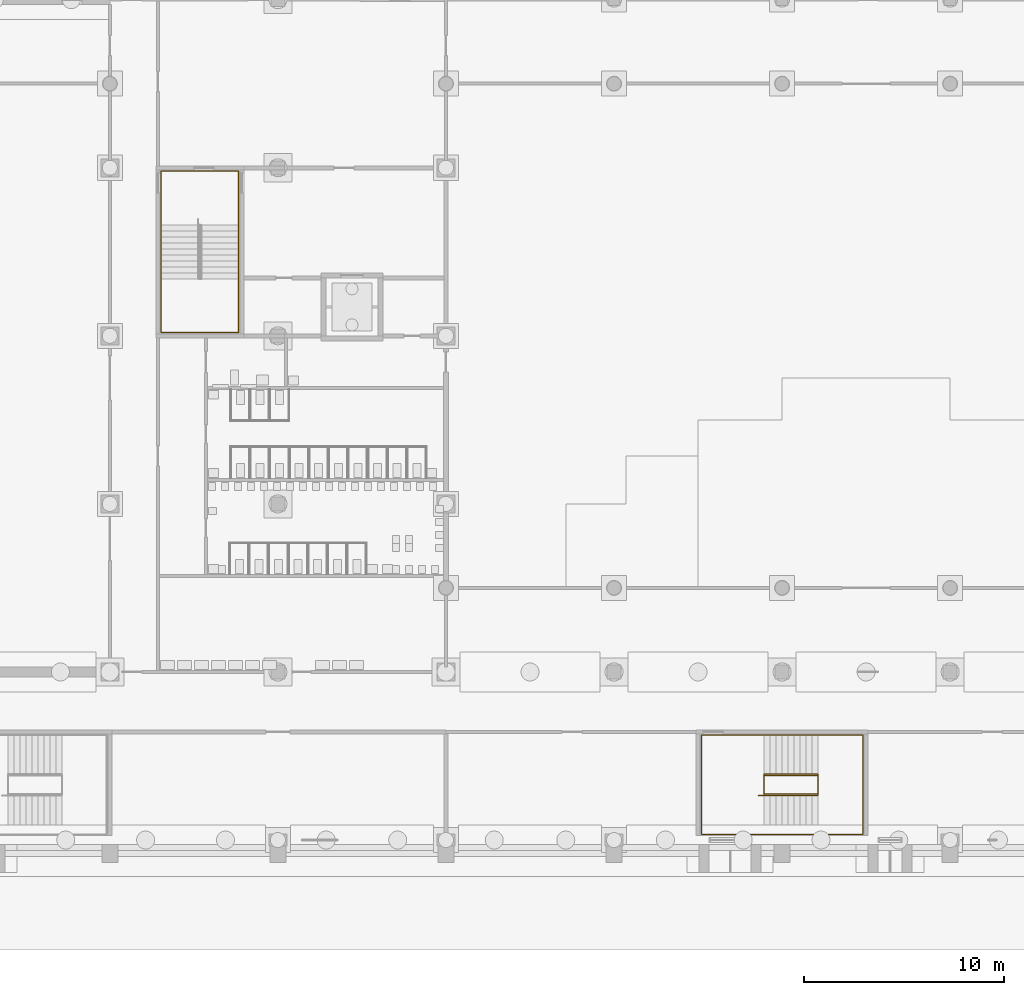
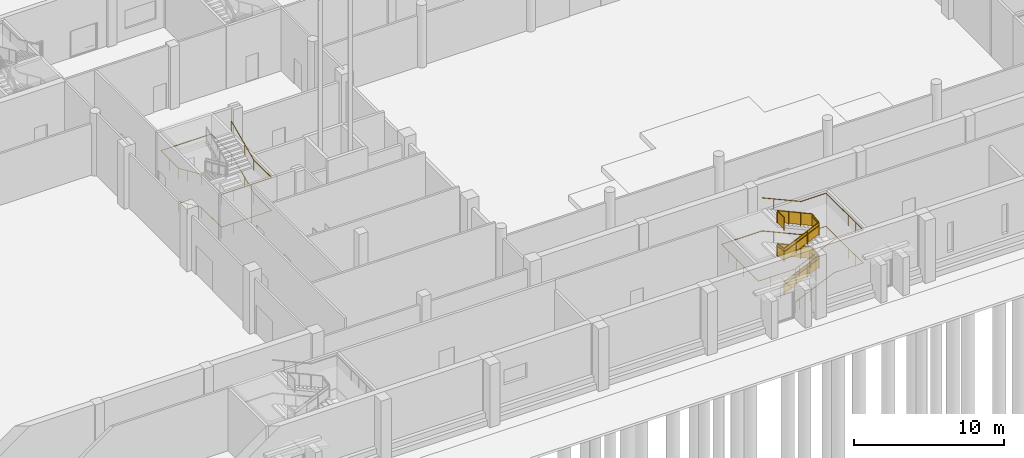
# One storey, part 60 of 74: 4 railings.
"""IFC4 building model written with IfcOpenShell, lengths in metres."""

import ifcopenshell
import ifcopenshell.guid

model = None  # the IFC model being written
_history = None  # IfcOwnerHistory: only IFC2X3 demands one
_inside = {}  # id of a spatial element -> (the spatial element, [elements in it])
_under = {}  # id of a project, library or spatial element -> (it, [spatial elements below it])
_declared = {}  # id of a project -> (the project, [libraries it declares])
_typed = {}  # id of a type object -> (the type object, [elements of that type])
_made_of = {}  # id of a material, layer set ... -> (it, [elements and type objects made of it])


def new_model(schema):
    """Start an empty IFC model of exactly this schema.

    Asked for "IFC4X3", IfcOpenShell would pick the latest addendum, in which some entities
    have other attributes; the version numbers below select the first issue.
    IFC2X3 requires an IfcOwnerHistory on every rooted entity: one is made here for all.
    """
    global model, _history
    if schema == "IFC4X3":
        model = ifcopenshell.file(schema_version=(4, 3, 0, 0))
    else:
        model = ifcopenshell.file(schema=schema)
    _inside.clear()
    _under.clear()
    _declared.clear()
    _typed.clear()
    _made_of.clear()
    _history = None
    if model.schema == "IFC2X3":
        org = make("IfcOrganization", Name="unknown")
        user = make(
            "IfcPersonAndOrganization",
            ThePerson=make("IfcPerson", FamilyName="unknown"),
            TheOrganization=org,
        )
        app = make(
            "IfcApplication",
            ApplicationDeveloper=org,
            Version="unknown",
            ApplicationFullName="unknown",
            ApplicationIdentifier="unknown",
        )
        _history = make(
            "IfcOwnerHistory",
            OwningUser=user,
            OwningApplication=app,
            ChangeAction="ADDED",
            CreationDate=0,
        )
    return model


def make(cls, **values):
    """One entity of the class cls with the attributes given. An attribute that is None is left unset."""
    return model.create_entity(
        cls, **{name: value for name, value in values.items() if value is not None}
    )


def rooted(cls, **values):
    """An entity with a GlobalId (a new one), such as an element, a storey or a relation."""
    return make(cls, GlobalId=ifcopenshell.guid.new(), OwnerHistory=_history, **values)


def si_unit(unit_type, name, prefix=None):
    """IfcSIUnit, for example si_unit("LENGTHUNIT", "METRE", prefix="MILLI")."""
    return make("IfcSIUnit", UnitType=unit_type, Prefix=prefix, Name=name)


def assignment(units):
    """IfcUnitAssignment: the units of a project."""
    return None if units is None else make("IfcUnitAssignment", Units=units)


def point(xyz):
    """IfcCartesianPoint."""
    return None if xyz is None else make("IfcCartesianPoint", Coordinates=xyz)


def direction(xyz):
    """IfcDirection."""
    return None if xyz is None else make("IfcDirection", DirectionRatios=xyz)


def frame(location, z_axis=None, x_axis=None):
    """IfcAxis2Placement3D, a coordinate frame: its origin and axes. An axis left out is left unset."""
    return make(
        "IfcAxis2Placement3D",
        Location=point(location),
        Axis=direction(z_axis),
        RefDirection=direction(x_axis),
    )


def frame_2d(location, x_axis=None):
    """IfcAxis2Placement2D, a coordinate frame in the plane: its origin and x axis."""
    return make(
        "IfcAxis2Placement2D", Location=point(location), RefDirection=direction(x_axis)
    )


def origin():
    """The frame at (0, 0, 0) with its axes left unset."""
    return frame((0.0, 0.0, 0.0))


def origin_2d():
    """The frame at (0, 0) in the plane with its x axis left unset."""
    return frame_2d((0.0, 0.0))


def place(relative_to, where):
    """IfcLocalPlacement: puts the frame where relative to a parent placement (None: the world)."""
    return make(
        "IfcLocalPlacement", PlacementRelTo=relative_to, RelativePlacement=where
    )


def context(
    kind, dimensions, precision=None, world=None, true_north=None, identifier=None
):
    """IfcGeometricRepresentationContext, for example the 3D "Model" context."""
    return make(
        "IfcGeometricRepresentationContext",
        ContextIdentifier=identifier,
        ContextType=kind,
        CoordinateSpaceDimension=dimensions,
        Precision=precision,
        WorldCoordinateSystem=world,
        TrueNorth=true_north,
    )


def subcontext(parent, identifier, kind, view, scale=None):
    """IfcGeometricRepresentationSubContext, for example "Body" below "Model"."""
    return make(
        "IfcGeometricRepresentationSubContext",
        ContextIdentifier=identifier,
        ContextType=kind,
        ParentContext=parent,
        TargetScale=scale,
        TargetView=view,
    )


def project(units=None, contexts=None):
    """IfcProject with its units and contexts."""
    return rooted(
        "IfcProject",
        Name="project",
        RepresentationContexts=contexts,
        UnitsInContext=assignment(units),
    )


def spatial(cls, under=None, at=None, **own):
    """A site, building, storey or space (cls), placed at a placement, below another one or the project."""
    s = rooted(cls, ObjectPlacement=at, **own)
    if under is not None:
        _under.setdefault(under.id(), (under, []))[1].append(s)
    return s


def polyline(points):
    """IfcPolyline through the points."""
    return make("IfcPolyline", Points=[point(p) for p in points])


def profile(cls, at=None, kind="AREA", **sizes):
    """A parametric profile (cls). Its sizes go by their IFC names, for example OverallWidth=200.0."""
    return make(cls, ProfileType=kind, Position=at, **sizes)


def circle(**sizes):
    """IfcCircleProfileDef."""
    return profile("IfcCircleProfileDef", **sizes)


def outline(outer, holes=None, kind="AREA"):
    """IfcArbitraryClosedProfileDef: a profile drawn as a closed curve; with holes, ...WithVoids."""
    if holes is None:
        return make("IfcArbitraryClosedProfileDef", ProfileType=kind, OuterCurve=outer)
    return make(
        "IfcArbitraryProfileDefWithVoids",
        ProfileType=kind,
        OuterCurve=outer,
        InnerCurves=holes,
    )


def extrude(swept, where, along, depth):
    """IfcExtrudedAreaSolid: the profile swept, set in the frame where, extruded along a direction by depth."""
    return make(
        "IfcExtrudedAreaSolid",
        SweptArea=swept,
        Position=where,
        ExtrudedDirection=direction(along),
        Depth=depth,
    )


def shape(context_of_items, identifier, shape_type, items):
    """IfcShapeRepresentation: the items that make up one representation, for example the "Body"."""
    return make(
        "IfcShapeRepresentation",
        ContextOfItems=context_of_items,
        RepresentationIdentifier=identifier,
        RepresentationType=shape_type,
        Items=items,
    )


def material(Name=None, Category=None):
    """IfcMaterial."""
    return make("IfcMaterial", Name=Name, Category=Category)


def made_of(thing, what):
    """Note that an element or type object is made of a material, layer set ...; save() writes the relation."""
    if what is not None:
        _made_of.setdefault(what.id(), (what, []))[1].append(thing)
    return thing


def type_object(cls, material=None, **own):
    """A type object (cls), such as IfcWallType, which elements share."""
    return made_of(rooted(cls, **own), material)


def element(
    cls,
    number,
    at=None,
    inside=None,
    cuts=None,
    type_object=None,
    material=None,
    context=None,
    identifier="Body",
    shape_type=None,
    held_by="IfcProductDefinitionShape",
    body=None,
    shapes=None,
    **own,
):
    """One element of the class cls, such as IfcWall. Its Tag is "e" and its number.

    at: its placement. inside: the storey or other place that contains it. cuts: it is an
    opening in that element (IfcRelVoidsElement). A single representation is given by context,
    identifier, shape_type and body (its items); several are given by shapes. held_by: the class
    of the entity that holds the representations. save() writes the other relations.
    """
    e = rooted(cls, Tag="e%d" % number, ObjectPlacement=at, **own)
    if body is not None:
        shapes = [shape(context, identifier, shape_type, body)]
    if shapes is not None:
        e.Representation = make(held_by, Representations=shapes)
    if inside is not None:
        _inside.setdefault(inside.id(), (inside, []))[1].append(e)
    if cuts is not None:
        rooted(
            "IfcRelVoidsElement", RelatingBuildingElement=cuts, RelatedOpeningElement=e
        )
    if type_object is not None:
        _typed.setdefault(type_object.id(), (type_object, []))[1].append(e)
    return made_of(e, material)


def aggregate(whole, parts):
    """IfcRelAggregates: a whole, such as a stair, and the parts it consists of."""
    return rooted("IfcRelAggregates", RelatingObject=whole, RelatedObjects=parts)


def save(model, path):
    """Write the relations noted so far, then the file.

    IfcRelAggregates (storeys below a building ...), IfcRelContainedInSpatialStructure (elements
    in a storey), IfcRelDefinesByType, IfcRelAssociatesMaterial and IfcRelDeclares: one each for
    every whole, place, type object, material and project.
    """
    for whole, parts in _under.values():
        aggregate(whole, parts)
    for where, things in _inside.values():
        rooted(
            "IfcRelContainedInSpatialStructure",
            RelatedElements=things,
            RelatingStructure=where,
        )
    for kind, things in _typed.values():
        rooted("IfcRelDefinesByType", RelatedObjects=things, RelatingType=kind)
    for what, things in _made_of.values():
        rooted("IfcRelAssociatesMaterial", RelatedObjects=things, RelatingMaterial=what)
    for by, libraries in _declared.values():
        rooted("IfcRelDeclares", RelatingContext=by, RelatedDefinitions=libraries)
    model.write(path)


model = new_model("IFC4")

# Units and contexts
model_context = context("Model", 3, precision=1e-05, world=origin(), true_north=direction((0.0, 1.0)))
body_context = subcontext(model_context, "Body", "Model", "MODEL_VIEW")
ifc_project = project(units=[si_unit("LENGTHUNIT", "METRE"), si_unit("AREAUNIT", "SQUARE_METRE"), si_unit("VOLUMEUNIT", "CUBIC_METRE"), si_unit("PLANEANGLEUNIT", "RADIAN"), si_unit("MASSUNIT", "GRAM", prefix="KILO")], contexts=[model_context])

# Site, building, storey
site_placement = place(None, origin())
site = spatial("IfcSite", under=ifc_project, at=site_placement, CompositionType="ELEMENT")
building_placement = place(site_placement, origin())
building = spatial("IfcBuilding", under=site, at=building_placement, Name="Rulbaag Community and Learning Centre", CompositionType="ELEMENT")
storey_placement = place(building_placement, origin())
storey = spatial("IfcBuildingStorey", under=building, at=storey_placement, Name="L00", CompositionType="ELEMENT", Elevation=0.0)

# Railings
ifc_material_1 = material(Name="Galvanised mild steel", Category="steel")
railing_type_1 = type_object("IfcRailingType", Name="GR-1100 GUARD 1100", PredefinedType="GUARDRAIL", material=ifc_material_1)
railing_1_placement = place(storey_placement, frame((57.89990234375, 2.304931640625, 0.135009765625)))
element("IfcRailing", 1, at=railing_1_placement, inside=storey, type_object=railing_type_1, Name="Guard SH8 L00 G", PredefinedType="GUARDRAIL", context=body_context, shape_type="SweptSolid", body=[
    extrude(circle(Radius=0.02490234375, at=origin_2d()), frame((0.0, 0.0, 1.0751953125), z_axis=(0.911921505175, 0.0, 0.410364677329), x_axis=(0.0, 1.0, 0.0)), (0.0, 0.0, 1.0), 2.9609375),
    extrude(circle(Radius=0.02490234375, at=origin_2d()), frame((2.7001953125, 0.0, 2.2900390625), z_axis=(0.0, 0.989289738746, 0.145965108198), x_axis=(-1.0, 0.0, 0.0)), (0.0, 0.0, 1.0), 0.925048828125),
    extrude(circle(Radius=0.02490234375, at=origin_2d()), frame((2.7001953125, 0.9150390625, 2.42529296875), z_axis=(-0.91195235894, 0.0, 0.410296106518), x_axis=(0.0, -1.0, 0.0)), (0.0, 0.0, 1.0), 2.9609375),
    extrude(circle(Radius=0.02490234375, at=origin_2d()), frame((0.0, 0.9150390625, 3.64013671875), z_axis=(0.0, -0.989289738746, 0.145965108198), x_axis=(1.0, 0.0, 0.0)), (0.0, 0.0, 1.0), 0.925048828125),
    extrude(circle(Radius=0.02490234375, at=origin_2d()), frame((0.0, 0.0, 3.77490234375), z_axis=(0.911921505175, 0.0, 0.410364677329), x_axis=(0.0, 1.0, 0.0)), (0.0, 0.0, 1.0), 2.9609375),
    extrude(circle(Radius=0.02490234375, at=origin_2d()), frame((2.7001953125, 0.0, 4.990234375), z_axis=(0.0, 0.989289738746, 0.145965108198), x_axis=(-1.0, 0.0, 0.0)), (0.0, 0.0, 1.0), 0.925048828125),
    extrude(circle(Radius=0.02490234375, at=origin_2d()), frame((2.7001953125, 0.9150390625, 5.125), z_axis=(-0.91195235894, 0.0, 0.410296106518), x_axis=(0.0, -1.0, 0.0)), (0.0, 0.0, 1.0), 2.9609375),
    extrude(circle(Radius=0.02490234375, at=origin_2d()), frame((0.0, 0.9150390625, 6.33984375), z_axis=(0.0, -1.0, 0.0), x_axis=(1.0, 0.0, 0.0)), (0.0, 0.0, 1.0), 0.9150390625),
    extrude(circle(Radius=0.02001953125, at=origin_2d()), origin(), (0.0, 0.0, 1.0), 1.050048828125),
    extrude(circle(Radius=0.02001953125, at=origin_2d()), frame((0.900146484375, 0.0, 0.405029296875)), (0.0, 0.0, 1.0), 1.050048828125),
    extrude(circle(Radius=0.02001953125, at=origin_2d()), frame((1.800048828125, 0.0, 0.81005859375)), (0.0, 0.0, 1.0), 1.050048828125),
    extrude(circle(Radius=0.02001953125, at=origin_2d()), frame((2.7001953125, 0.0, 1.215087890625)), (0.0, 0.0, 1.0), 1.050048828125),
    extrude(circle(Radius=0.02001953125, at=origin_2d()), frame((2.7001953125, 0.9150390625, 1.35009765625)), (0.0, 0.0, 1.0), 1.050048828125),
    extrude(circle(Radius=0.02001953125, at=origin_2d()), frame((1.800048828125, 0.9150390625, 1.755126953125)), (0.0, 0.0, 1.0), 1.050048828125),
    extrude(circle(Radius=0.02001953125, at=origin_2d()), frame((0.900146484375, 0.9150390625, 2.159912109375)), (0.0, 0.0, 1.0), 1.050048828125),
    extrude(circle(Radius=0.02001953125, at=origin_2d()), frame((0.0, 0.9150390625, 2.56494140625)), (0.0, 0.0, 1.0), 1.050048828125),
    extrude(circle(Radius=0.02001953125, at=origin_2d()), frame((0.0, 0.0, 2.699951171875)), (0.0, 0.0, 1.0), 1.050048828125),
    extrude(circle(Radius=0.02001953125, at=origin_2d()), frame((0.900146484375, 0.0, 3.10498046875)), (0.0, 0.0, 1.0), 1.050048828125),
    extrude(circle(Radius=0.02001953125, at=origin_2d()), frame((1.800048828125, 0.0, 3.510009765625)), (0.0, 0.0, 1.0), 1.050048828125),
    extrude(circle(Radius=0.02001953125, at=origin_2d()), frame((2.7001953125, 0.0, 3.9150390625)), (0.0, 0.0, 1.0), 1.050048828125),
    extrude(circle(Radius=0.02001953125, at=origin_2d()), frame((2.7001953125, 0.9150390625, 4.050048828125)), (0.0, 0.0, 1.0), 1.050048828125),
    extrude(circle(Radius=0.02001953125, at=origin_2d()), frame((1.800048828125, 0.9150390625, 4.455078125)), (0.0, 0.0, 1.0), 1.050048828125),
    extrude(circle(Radius=0.02001953125, at=origin_2d()), frame((0.900146484375, 0.9150390625, 4.85986328125)), (0.0, 0.0, 1.0), 1.050048828125),
    extrude(circle(Radius=0.02001953125, at=origin_2d()), frame((0.0, 0.9150390625, 5.264892578125)), (0.0, 0.0, 1.0), 1.050048828125),
    extrude(circle(Radius=0.02001953125, at=origin_2d()), frame((0.0, 0.0, 5.264892578125)), (0.0, 0.0, 1.0), 1.050048828125),
    extrude(outline(polyline([(0.0, 0.0), (2.7001953125, 1.215087890625), (2.7001953125, 2.1650390625), (0.0, 0.949951171875), (0.0, 0.0)])), frame((0.0, 0.0048828125, 0.10009765625), z_axis=(0.0, -1.0, 0.0), x_axis=(1.0, 0.0, 0.0)), (0.0, 0.0, 1.0), 0.010009765625),
    extrude(outline(polyline([(0.0, 0.0), (0.9150390625, 0.135009765625), (0.9150390625, 1.0849609375), (0.0, 0.949951171875), (0.0, 0.0)])), frame((2.6953125, 0.0, 1.315185546875), z_axis=(1.0, 0.0, 0.0), x_axis=(0.0, 1.0, 0.0)), (0.0, 0.0, 1.0), 0.010009765625),
    extrude(outline(polyline([(0.0, 0.0), (2.7001953125, 1.21484375), (2.7001953125, 2.164794921875), (0.0, 0.949951171875), (0.0, 0.0)])), frame((2.7001953125, 0.91015625, 1.4501953125), z_axis=(0.0, 1.0, 0.0), x_axis=(-1.0, 0.0, 0.0)), (0.0, 0.0, 1.0), 0.010009765625),
    extrude(outline(polyline([(0.0, 0.0), (0.9150390625, 0.135009765625), (0.9150390625, 1.0849609375), (0.0, 0.949951171875), (0.0, 0.0)])), frame((0.0048828125, 0.9150390625, 2.6650390625), z_axis=(-1.0, 0.0, 0.0), x_axis=(0.0, -1.0, 0.0)), (0.0, 0.0, 1.0), 0.010009765625),
    extrude(outline(polyline([(0.0, 0.0), (2.7001953125, 1.215087890625), (2.7001953125, 2.1650390625), (0.0, 0.949951171875), (0.0, 0.0)])), frame((0.0, 0.0048828125, 2.800048828125), z_axis=(0.0, -1.0, 0.0), x_axis=(1.0, 0.0, 0.0)), (0.0, 0.0, 1.0), 0.010009765625),
    extrude(outline(polyline([(0.0, 0.0), (0.9150390625, 0.135009765625), (0.9150390625, 1.0849609375), (0.0, 0.949951171875), (0.0, 0.0)])), frame((2.6953125, 0.0, 4.01513671875), z_axis=(1.0, 0.0, 0.0), x_axis=(0.0, 1.0, 0.0)), (0.0, 0.0, 1.0), 0.010009765625),
    extrude(outline(polyline([(0.0, 0.0), (2.7001953125, 1.21484375), (2.7001953125, 2.164794921875), (0.0, 0.949951171875), (0.0, 0.0)])), frame((2.7001953125, 0.91015625, 4.150146484375), z_axis=(0.0, 1.0, 0.0), x_axis=(-1.0, 0.0, 0.0)), (0.0, 0.0, 1.0), 0.010009765625),
    extrude(outline(polyline([(0.0, 0.0), (0.9150390625, 0.0), (0.9150390625, 0.949951171875), (0.0, 0.949951171875), (0.0, 0.0)])), frame((0.0048828125, 0.9150390625, 5.364990234375), z_axis=(-1.0, 0.0, 0.0), x_axis=(0.0, -1.0, 0.0)), (0.0, 0.0, 1.0), 0.010009765625),
])
ifc_material_2 = material(Name="Stainless steel grade 316", Category="steel")
railing_type_2 = type_object("IfcRailingType", Name="HR-900 HANDRAIL 900", PredefinedType="HANDRAIL", material=ifc_material_2)
railing_2_placement = place(storey_placement, frame((27.760009765625, 31.050048828125, 0.0)))
element("IfcRailing", 2, at=railing_2_placement, inside=storey, type_object=railing_type_2, Name="Handrail SH1 L00 O", PredefinedType="HANDRAIL", context=body_context, shape_type="SweptSolid", body=[
    extrude(circle(Radius=0.024169921875, at=origin_2d()), frame((0.0, 0.0, 0.875732421875), z_axis=(0.0, -0.911935388494, 0.410333824115), x_axis=(1.0, 0.0, 0.0)), (0.0, 0.0, 1.0), 0.3291015625),
    extrude(circle(Radius=0.024169921875, at=origin_2d()), frame((0.0, -0.300048828125, 1.0107421875), z_axis=(0.0, -0.911907618724, 0.410395534713), x_axis=(1.0, 0.0, 0.0)), (0.0, 0.0, 1.0), 2.960693359375),
    extrude(circle(Radius=0.024169921875, at=origin_2d()), frame((0.0, -3.0, 2.225830078125), z_axis=(0.0, -1.0, 0.0), x_axis=(1.0, 0.0, 0.0)), (0.0, 0.0, 1.0), 2.68994140625),
    extrude(circle(Radius=0.024169921875, at=origin_2d()), frame((0.0, -5.68994140625, 2.225830078125), z_axis=(1.0, 0.0, 0.0), x_axis=(0.0, 1.0, 0.0)), (0.0, 0.0, 1.0), 3.8798828125),
    extrude(circle(Radius=0.024169921875, at=origin_2d()), frame((3.8798828125, -5.68994140625, 2.225830078125), z_axis=(0.0, 1.0, 0.0), x_axis=(-1.0, 0.0, 0.0)), (0.0, 0.0, 1.0), 2.389892578125),
    extrude(circle(Radius=0.024169921875, at=origin_2d()), frame((3.8798828125, -3.300048828125, 2.225830078125), z_axis=(0.0, 0.911935388494, 0.410333824115), x_axis=(-1.0, 0.0, 0.0)), (0.0, 0.0, 1.0), 0.3291015625),
    extrude(circle(Radius=0.024169921875, at=origin_2d()), frame((3.8798828125, -3.0, 2.36083984375), z_axis=(0.0, 0.91193847666, 0.410326960834), x_axis=(-1.0, 0.0, 0.0)), (0.0, 0.0, 1.0), 2.960693359375),
    extrude(circle(Radius=0.024169921875, at=origin_2d()), frame((3.8798828125, -0.300048828125, 3.57568359375), z_axis=(0.0, 1.0, 0.0), x_axis=(-1.0, 0.0, 0.0)), (0.0, 0.0, 1.0), 2.68994140625),
    extrude(circle(Radius=0.024169921875, at=origin_2d()), frame((3.8798828125, 2.389892578125, 3.57568359375), z_axis=(-1.0, 0.0, 0.0), x_axis=(0.0, -1.0, 0.0)), (0.0, 0.0, 1.0), 3.8798828125),
    extrude(circle(Radius=0.024169921875, at=origin_2d()), frame((0.0, 2.389892578125, 3.57568359375), z_axis=(0.0, -1.0, 0.0), x_axis=(1.0, 0.0, 0.0)), (0.0, 0.0, 1.0), 2.389892578125),
    extrude(circle(Radius=0.024169921875, at=origin_2d()), frame((0.0, 0.0, 3.57568359375), z_axis=(0.0, -0.911935388494, 0.410333824115), x_axis=(1.0, 0.0, 0.0)), (0.0, 0.0, 1.0), 0.3291015625),
    extrude(circle(Radius=0.024169921875, at=origin_2d()), frame((0.0, -0.300048828125, 3.710693359375), z_axis=(0.0, -0.911907618724, 0.410395534713), x_axis=(1.0, 0.0, 0.0)), (0.0, 0.0, 1.0), 2.960693359375),
    extrude(circle(Radius=0.024169921875, at=origin_2d()), frame((0.0, -3.0, 4.92578125), z_axis=(0.0, -1.0, 0.0), x_axis=(1.0, 0.0, 0.0)), (0.0, 0.0, 1.0), 2.68994140625),
    extrude(circle(Radius=0.024169921875, at=origin_2d()), frame((0.0, -5.68994140625, 4.92578125), z_axis=(1.0, 0.0, 0.0), x_axis=(0.0, 1.0, 0.0)), (0.0, 0.0, 1.0), 3.8798828125),
    extrude(circle(Radius=0.024169921875, at=origin_2d()), frame((3.8798828125, -5.68994140625, 4.92578125), z_axis=(0.0, 1.0, 0.0), x_axis=(-1.0, 0.0, 0.0)), (0.0, 0.0, 1.0), 2.389892578125),
    extrude(circle(Radius=0.024169921875, at=origin_2d()), frame((3.8798828125, -3.300048828125, 4.92578125), z_axis=(0.0, 0.911935388494, 0.410333824115), x_axis=(-1.0, 0.0, 0.0)), (0.0, 0.0, 1.0), 0.3291015625),
    extrude(circle(Radius=0.024169921875, at=origin_2d()), frame((3.8798828125, -3.0, 5.060791015625), z_axis=(0.0, 0.91193847666, 0.410326960834), x_axis=(-1.0, 0.0, 0.0)), (0.0, 0.0, 1.0), 2.960693359375),
    extrude(circle(Radius=0.008056640625, at=origin_2d()), origin(), (0.0, 0.0, 1.0), 0.8515625),
    extrude(circle(Radius=0.008056640625, at=origin_2d()), frame((0.0, -0.300048828125, 0.135009765625)), (0.0, 0.0, 1.0), 0.8515625),
    extrude(circle(Radius=0.008056640625, at=origin_2d()), frame((0.0, -1.199951171875, 0.5400390625)), (0.0, 0.0, 1.0), 0.8515625),
    extrude(circle(Radius=0.008056640625, at=origin_2d()), frame((0.0, -2.10009765625, 0.945068359375)), (0.0, 0.0, 1.0), 0.8515625),
    extrude(circle(Radius=0.008056640625, at=origin_2d()), frame((0.0, -3.0, 1.35009765625)), (0.0, 0.0, 1.0), 0.8515625),
    extrude(circle(Radius=0.008056640625, at=origin_2d()), frame((0.0, -3.896728515625, 1.35009765625)), (0.0, 0.0, 1.0), 0.8515625),
    extrude(circle(Radius=0.008056640625, at=origin_2d()), frame((0.0, -4.793212890625, 1.35009765625)), (0.0, 0.0, 1.0), 0.8515625),
    extrude(circle(Radius=0.008056640625, at=origin_2d()), frame((0.0, -5.68994140625, 1.35009765625)), (0.0, 0.0, 1.0), 0.8515625),
    extrude(circle(Radius=0.008056640625, at=origin_2d()), frame((0.969970703125, -5.68994140625, 1.35009765625)), (0.0, 0.0, 1.0), 0.8515625),
    extrude(circle(Radius=0.008056640625, at=origin_2d()), frame((1.93994140625, -5.68994140625, 1.35009765625)), (0.0, 0.0, 1.0), 0.8515625),
    extrude(circle(Radius=0.008056640625, at=origin_2d()), frame((2.909912109375, -5.68994140625, 1.35009765625)), (0.0, 0.0, 1.0), 0.8515625),
    extrude(circle(Radius=0.008056640625, at=origin_2d()), frame((3.8798828125, -5.68994140625, 1.35009765625)), (0.0, 0.0, 1.0), 0.8515625),
    extrude(circle(Radius=0.008056640625, at=origin_2d()), frame((3.8798828125, -4.4951171875, 1.35009765625)), (0.0, 0.0, 1.0), 0.8515625),
    extrude(circle(Radius=0.008056640625, at=origin_2d()), frame((3.8798828125, -3.300048828125, 1.35009765625)), (0.0, 0.0, 1.0), 0.8515625),
    extrude(circle(Radius=0.008056640625, at=origin_2d()), frame((3.8798828125, -3.0, 1.485107421875)), (0.0, 0.0, 1.0), 0.8515625),
    extrude(circle(Radius=0.008056640625, at=origin_2d()), frame((3.8798828125, -2.10009765625, 1.89013671875)), (0.0, 0.0, 1.0), 0.8515625),
    extrude(circle(Radius=0.008056640625, at=origin_2d()), frame((3.8798828125, -1.199951171875, 2.294921875)), (0.0, 0.0, 1.0), 0.8515625),
    extrude(circle(Radius=0.008056640625, at=origin_2d()), frame((3.8798828125, -0.300048828125, 2.699951171875)), (0.0, 0.0, 1.0), 0.8515625),
    extrude(circle(Radius=0.008056640625, at=origin_2d()), frame((3.8798828125, 0.5966796875, 2.699951171875)), (0.0, 0.0, 1.0), 0.8515625),
    extrude(circle(Radius=0.008056640625, at=origin_2d()), frame((3.8798828125, 1.4931640625, 2.699951171875)), (0.0, 0.0, 1.0), 0.8515625),
    extrude(circle(Radius=0.008056640625, at=origin_2d()), frame((3.8798828125, 2.389892578125, 2.699951171875)), (0.0, 0.0, 1.0), 0.8515625),
    extrude(circle(Radius=0.008056640625, at=origin_2d()), frame((2.909912109375, 2.389892578125, 2.699951171875)), (0.0, 0.0, 1.0), 0.8515625),
    extrude(circle(Radius=0.008056640625, at=origin_2d()), frame((1.93994140625, 2.389892578125, 2.699951171875)), (0.0, 0.0, 1.0), 0.8515625),
    extrude(circle(Radius=0.008056640625, at=origin_2d()), frame((0.969970703125, 2.389892578125, 2.699951171875)), (0.0, 0.0, 1.0), 0.8515625),
    extrude(circle(Radius=0.008056640625, at=origin_2d()), frame((0.0, 2.389892578125, 2.699951171875)), (0.0, 0.0, 1.0), 0.8515625),
    extrude(circle(Radius=0.008056640625, at=origin_2d()), frame((0.0, 1.19482421875, 2.699951171875)), (0.0, 0.0, 1.0), 0.8515625),
    extrude(circle(Radius=0.008056640625, at=origin_2d()), frame((0.0, 0.0, 2.699951171875)), (0.0, 0.0, 1.0), 0.8515625),
    extrude(circle(Radius=0.008056640625, at=origin_2d()), frame((0.0, -0.300048828125, 2.8349609375)), (0.0, 0.0, 1.0), 0.8515625),
    extrude(circle(Radius=0.008056640625, at=origin_2d()), frame((0.0, -1.199951171875, 3.239990234375)), (0.0, 0.0, 1.0), 0.8515625),
    extrude(circle(Radius=0.008056640625, at=origin_2d()), frame((0.0, -2.10009765625, 3.64501953125)), (0.0, 0.0, 1.0), 0.8515625),
    extrude(circle(Radius=0.008056640625, at=origin_2d()), frame((0.0, -3.0, 4.050048828125)), (0.0, 0.0, 1.0), 0.8515625),
    extrude(circle(Radius=0.008056640625, at=origin_2d()), frame((0.0, -3.896728515625, 4.050048828125)), (0.0, 0.0, 1.0), 0.8515625),
    extrude(circle(Radius=0.008056640625, at=origin_2d()), frame((0.0, -4.793212890625, 4.050048828125)), (0.0, 0.0, 1.0), 0.8515625),
    extrude(circle(Radius=0.008056640625, at=origin_2d()), frame((0.0, -5.68994140625, 4.050048828125)), (0.0, 0.0, 1.0), 0.8515625),
    extrude(circle(Radius=0.008056640625, at=origin_2d()), frame((0.969970703125, -5.68994140625, 4.050048828125)), (0.0, 0.0, 1.0), 0.8515625),
    extrude(circle(Radius=0.008056640625, at=origin_2d()), frame((1.93994140625, -5.68994140625, 4.050048828125)), (0.0, 0.0, 1.0), 0.8515625),
    extrude(circle(Radius=0.008056640625, at=origin_2d()), frame((2.909912109375, -5.68994140625, 4.050048828125)), (0.0, 0.0, 1.0), 0.8515625),
    extrude(circle(Radius=0.008056640625, at=origin_2d()), frame((3.8798828125, -5.68994140625, 4.050048828125)), (0.0, 0.0, 1.0), 0.8515625),
    extrude(circle(Radius=0.008056640625, at=origin_2d()), frame((3.8798828125, -4.4951171875, 4.050048828125)), (0.0, 0.0, 1.0), 0.8515625),
    extrude(circle(Radius=0.008056640625, at=origin_2d()), frame((3.8798828125, -3.300048828125, 4.050048828125)), (0.0, 0.0, 1.0), 0.8515625),
    extrude(circle(Radius=0.008056640625, at=origin_2d()), frame((3.8798828125, -3.0, 4.18505859375)), (0.0, 0.0, 1.0), 0.8515625),
    extrude(circle(Radius=0.008056640625, at=origin_2d()), frame((3.8798828125, -2.10009765625, 4.590087890625)), (0.0, 0.0, 1.0), 0.8515625),
    extrude(circle(Radius=0.008056640625, at=origin_2d()), frame((3.8798828125, -1.199951171875, 4.994873046875)), (0.0, 0.0, 1.0), 0.8515625),
    extrude(circle(Radius=0.008056640625, at=origin_2d()), frame((3.8798828125, -0.300048828125, 5.39990234375)), (0.0, 0.0, 1.0), 0.8515625),
])
railing_3_placement = place(storey_placement, frame((57.60009765625, 0.284912109375, 0.0)))
element("IfcRailing", 3, at=railing_3_placement, inside=storey, type_object=railing_type_2, Name="Handrail SH8 L00 O", PredefinedType="HANDRAIL", context=body_context, shape_type="SweptSolid", body=[
    extrude(circle(Radius=0.024169921875, at=origin_2d()), frame((0.0, 0.0, 0.875732421875), z_axis=(0.911810325798, 0.0, 0.41061165323), x_axis=(0.0, 1.0, 0.0)), (0.0, 0.0, 1.0), 0.328857421875),
    extrude(circle(Radius=0.024169921875, at=origin_2d()), frame((0.2998046875, 0.0, 1.0107421875), z_axis=(0.911921505175, 0.0, 0.410364677329), x_axis=(0.0, 1.0, 0.0)), (0.0, 0.0, 1.0), 2.9609375),
    extrude(circle(Radius=0.024169921875, at=origin_2d()), frame((3.0, 0.0, 2.225830078125), z_axis=(1.0, 0.0, 0.0), x_axis=(0.0, 1.0, 0.0)), (0.0, 0.0, 1.0), 2.239990234375),
    extrude(circle(Radius=0.024169921875, at=origin_2d()), frame((5.239990234375, 0.0, 2.225830078125), z_axis=(0.0, 1.0, 0.0), x_axis=(-1.0, 0.0, 0.0)), (0.0, 0.0, 1.0), 4.955078125),
    extrude(circle(Radius=0.024169921875, at=origin_2d()), frame((5.239990234375, 4.955078125, 2.225830078125), z_axis=(-1.0, 0.0, 0.0), x_axis=(0.0, -1.0, 0.0)), (0.0, 0.0, 1.0), 1.940185546875),
    extrude(circle(Radius=0.024169921875, at=origin_2d()), frame((3.2998046875, 4.955078125, 2.225830078125), z_axis=(-0.911810325798, 0.0, 0.41061165323), x_axis=(0.0, -1.0, 0.0)), (0.0, 0.0, 1.0), 0.328857421875),
    extrude(circle(Radius=0.024169921875, at=origin_2d()), frame((3.0, 4.955078125, 2.36083984375), z_axis=(-0.91195235894, 0.0, 0.410296106518), x_axis=(0.0, -1.0, 0.0)), (0.0, 0.0, 1.0), 2.9609375),
    extrude(circle(Radius=0.024169921875, at=origin_2d()), frame((0.2998046875, 4.955078125, 3.57568359375), z_axis=(-1.0, 0.0, 0.0), x_axis=(0.0, -1.0, 0.0)), (0.0, 0.0, 1.0), 3.139892578125),
    extrude(circle(Radius=0.024169921875, at=origin_2d()), frame((-2.840087890625, 4.955078125, 3.57568359375), z_axis=(0.0, -1.0, 0.0), x_axis=(1.0, 0.0, 0.0)), (0.0, 0.0, 1.0), 4.955078125),
    extrude(circle(Radius=0.024169921875, at=origin_2d()), frame((-2.840087890625, 0.0, 3.57568359375), z_axis=(1.0, 0.0, 0.0), x_axis=(0.0, 1.0, 0.0)), (0.0, 0.0, 1.0), 2.840087890625),
    extrude(circle(Radius=0.024169921875, at=origin_2d()), frame((0.0, 0.0, 3.57568359375), z_axis=(0.911810325798, 0.0, 0.41061165323), x_axis=(0.0, 1.0, 0.0)), (0.0, 0.0, 1.0), 0.328857421875),
    extrude(circle(Radius=0.024169921875, at=origin_2d()), frame((0.2998046875, 0.0, 3.710693359375), z_axis=(0.911921505175, 0.0, 0.410364677329), x_axis=(0.0, 1.0, 0.0)), (0.0, 0.0, 1.0), 2.9609375),
    extrude(circle(Radius=0.024169921875, at=origin_2d()), frame((3.0, 0.0, 4.92578125), z_axis=(1.0, 0.0, 0.0), x_axis=(0.0, 1.0, 0.0)), (0.0, 0.0, 1.0), 2.239990234375),
    extrude(circle(Radius=0.024169921875, at=origin_2d()), frame((5.239990234375, 0.0, 4.92578125), z_axis=(0.0, 1.0, 0.0), x_axis=(-1.0, 0.0, 0.0)), (0.0, 0.0, 1.0), 4.955078125),
    extrude(circle(Radius=0.024169921875, at=origin_2d()), frame((5.239990234375, 4.955078125, 4.92578125), z_axis=(-1.0, 0.0, 0.0), x_axis=(0.0, -1.0, 0.0)), (0.0, 0.0, 1.0), 1.940185546875),
    extrude(circle(Radius=0.024169921875, at=origin_2d()), frame((3.2998046875, 4.955078125, 4.92578125), z_axis=(-0.911810325798, 0.0, 0.41061165323), x_axis=(0.0, -1.0, 0.0)), (0.0, 0.0, 1.0), 0.328857421875),
    extrude(circle(Radius=0.024169921875, at=origin_2d()), frame((3.0, 4.955078125, 5.060791015625), z_axis=(-0.91195235894, 0.0, 0.410296106518), x_axis=(0.0, -1.0, 0.0)), (0.0, 0.0, 1.0), 2.9609375),
    extrude(circle(Radius=0.008056640625, at=origin_2d()), origin(), (0.0, 0.0, 1.0), 0.8515625),
    extrude(circle(Radius=0.008056640625, at=origin_2d()), frame((0.2998046875, 0.0, 0.135009765625)), (0.0, 0.0, 1.0), 0.8515625),
    extrude(circle(Radius=0.008056640625, at=origin_2d()), frame((1.199951171875, 0.0, 0.5400390625)), (0.0, 0.0, 1.0), 0.8515625),
    extrude(circle(Radius=0.008056640625, at=origin_2d()), frame((2.099853515625, 0.0, 0.945068359375)), (0.0, 0.0, 1.0), 0.8515625),
    extrude(circle(Radius=0.008056640625, at=origin_2d()), frame((3.0, 0.0, 1.35009765625)), (0.0, 0.0, 1.0), 0.8515625),
    extrude(circle(Radius=0.008056640625, at=origin_2d()), frame((4.1201171875, 0.0, 1.35009765625)), (0.0, 0.0, 1.0), 0.8515625),
    extrude(circle(Radius=0.008056640625, at=origin_2d()), frame((5.239990234375, 0.0, 1.35009765625)), (0.0, 0.0, 1.0), 0.8515625),
    extrude(circle(Radius=0.008056640625, at=origin_2d()), frame((5.239990234375, 0.990966796875, 1.35009765625)), (0.0, 0.0, 1.0), 0.8515625),
    extrude(circle(Radius=0.008056640625, at=origin_2d()), frame((5.239990234375, 1.98193359375, 1.35009765625)), (0.0, 0.0, 1.0), 0.8515625),
    extrude(circle(Radius=0.008056640625, at=origin_2d()), frame((5.239990234375, 2.97314453125, 1.35009765625)), (0.0, 0.0, 1.0), 0.8515625),
    extrude(circle(Radius=0.008056640625, at=origin_2d()), frame((5.239990234375, 3.964111328125, 1.35009765625)), (0.0, 0.0, 1.0), 0.8515625),
    extrude(circle(Radius=0.008056640625, at=origin_2d()), frame((5.239990234375, 4.955078125, 1.35009765625)), (0.0, 0.0, 1.0), 0.8515625),
    extrude(circle(Radius=0.008056640625, at=origin_2d()), frame((4.27001953125, 4.955078125, 1.35009765625)), (0.0, 0.0, 1.0), 0.8515625),
    extrude(circle(Radius=0.008056640625, at=origin_2d()), frame((3.2998046875, 4.955078125, 1.35009765625)), (0.0, 0.0, 1.0), 0.8515625),
    extrude(circle(Radius=0.008056640625, at=origin_2d()), frame((3.0, 4.955078125, 1.485107421875)), (0.0, 0.0, 1.0), 0.8515625),
    extrude(circle(Radius=0.008056640625, at=origin_2d()), frame((2.099853515625, 4.955078125, 1.89013671875)), (0.0, 0.0, 1.0), 0.8515625),
    extrude(circle(Radius=0.008056640625, at=origin_2d()), frame((1.199951171875, 4.955078125, 2.294921875)), (0.0, 0.0, 1.0), 0.8515625),
    extrude(circle(Radius=0.008056640625, at=origin_2d()), frame((0.2998046875, 4.955078125, 2.699951171875)), (0.0, 0.0, 1.0), 0.8515625),
    extrude(circle(Radius=0.008056640625, at=origin_2d()), frame((-0.746826171875, 4.955078125, 2.699951171875)), (0.0, 0.0, 1.0), 0.8515625),
    extrude(circle(Radius=0.008056640625, at=origin_2d()), frame((-1.79345703125, 4.955078125, 2.699951171875)), (0.0, 0.0, 1.0), 0.8515625),
    extrude(circle(Radius=0.008056640625, at=origin_2d()), frame((-2.840087890625, 4.955078125, 2.699951171875)), (0.0, 0.0, 1.0), 0.8515625),
    extrude(circle(Radius=0.008056640625, at=origin_2d()), frame((-2.840087890625, 3.964111328125, 2.699951171875)), (0.0, 0.0, 1.0), 0.8515625),
    extrude(circle(Radius=0.008056640625, at=origin_2d()), frame((-2.840087890625, 2.97314453125, 2.699951171875)), (0.0, 0.0, 1.0), 0.8515625),
    extrude(circle(Radius=0.008056640625, at=origin_2d()), frame((-2.840087890625, 1.98193359375, 2.699951171875)), (0.0, 0.0, 1.0), 0.8515625),
    extrude(circle(Radius=0.008056640625, at=origin_2d()), frame((-2.840087890625, 0.990966796875, 2.699951171875)), (0.0, 0.0, 1.0), 0.8515625),
    extrude(circle(Radius=0.008056640625, at=origin_2d()), frame((-2.840087890625, 0.0, 2.699951171875)), (0.0, 0.0, 1.0), 0.8515625),
    extrude(circle(Radius=0.008056640625, at=origin_2d()), frame((-1.893310546875, 0.0, 2.699951171875)), (0.0, 0.0, 1.0), 0.8515625),
    extrude(circle(Radius=0.008056640625, at=origin_2d()), frame((-0.94677734375, 0.0, 2.699951171875)), (0.0, 0.0, 1.0), 0.8515625),
    extrude(circle(Radius=0.008056640625, at=origin_2d()), frame((0.0, 0.0, 2.699951171875)), (0.0, 0.0, 1.0), 0.8515625),
    extrude(circle(Radius=0.008056640625, at=origin_2d()), frame((0.2998046875, 0.0, 2.8349609375)), (0.0, 0.0, 1.0), 0.8515625),
    extrude(circle(Radius=0.008056640625, at=origin_2d()), frame((1.199951171875, 0.0, 3.239990234375)), (0.0, 0.0, 1.0), 0.8515625),
    extrude(circle(Radius=0.008056640625, at=origin_2d()), frame((2.099853515625, 0.0, 3.64501953125)), (0.0, 0.0, 1.0), 0.8515625),
    extrude(circle(Radius=0.008056640625, at=origin_2d()), frame((3.0, 0.0, 4.050048828125)), (0.0, 0.0, 1.0), 0.8515625),
    extrude(circle(Radius=0.008056640625, at=origin_2d()), frame((4.1201171875, 0.0, 4.050048828125)), (0.0, 0.0, 1.0), 0.8515625),
    extrude(circle(Radius=0.008056640625, at=origin_2d()), frame((5.239990234375, 0.0, 4.050048828125)), (0.0, 0.0, 1.0), 0.8515625),
    extrude(circle(Radius=0.008056640625, at=origin_2d()), frame((5.239990234375, 0.990966796875, 4.050048828125)), (0.0, 0.0, 1.0), 0.8515625),
    extrude(circle(Radius=0.008056640625, at=origin_2d()), frame((5.239990234375, 1.98193359375, 4.050048828125)), (0.0, 0.0, 1.0), 0.8515625),
    extrude(circle(Radius=0.008056640625, at=origin_2d()), frame((5.239990234375, 2.97314453125, 4.050048828125)), (0.0, 0.0, 1.0), 0.8515625),
    extrude(circle(Radius=0.008056640625, at=origin_2d()), frame((5.239990234375, 3.964111328125, 4.050048828125)), (0.0, 0.0, 1.0), 0.8515625),
    extrude(circle(Radius=0.008056640625, at=origin_2d()), frame((5.239990234375, 4.955078125, 4.050048828125)), (0.0, 0.0, 1.0), 0.8515625),
    extrude(circle(Radius=0.008056640625, at=origin_2d()), frame((4.27001953125, 4.955078125, 4.050048828125)), (0.0, 0.0, 1.0), 0.8515625),
    extrude(circle(Radius=0.008056640625, at=origin_2d()), frame((3.2998046875, 4.955078125, 4.050048828125)), (0.0, 0.0, 1.0), 0.8515625),
    extrude(circle(Radius=0.008056640625, at=origin_2d()), frame((3.0, 4.955078125, 4.18505859375)), (0.0, 0.0, 1.0), 0.8515625),
    extrude(circle(Radius=0.008056640625, at=origin_2d()), frame((2.099853515625, 4.955078125, 4.590087890625)), (0.0, 0.0, 1.0), 0.8515625),
    extrude(circle(Radius=0.008056640625, at=origin_2d()), frame((1.199951171875, 4.955078125, 4.994873046875)), (0.0, 0.0, 1.0), 0.8515625),
    extrude(circle(Radius=0.008056640625, at=origin_2d()), frame((0.2998046875, 4.955078125, 5.39990234375)), (0.0, 0.0, 1.0), 0.8515625),
])
railing_4_placement = place(storey_placement, frame((57.60009765625, 2.235107421875, 0.0)))
element("IfcRailing", 4, at=railing_4_placement, inside=storey, type_object=railing_type_2, Name="Handrail SH8 L00 I", PredefinedType="HANDRAIL", context=body_context, shape_type="SweptSolid", body=[
    extrude(circle(Radius=0.024169921875, at=origin_2d()), frame((0.0, 0.0, 0.875732421875), z_axis=(0.911810325798, 0.0, 0.41061165323), x_axis=(0.0, 1.0, 0.0)), (0.0, 0.0, 1.0), 0.328857421875),
    extrude(circle(Radius=0.024169921875, at=origin_2d()), frame((0.2998046875, 0.0, 1.0107421875), z_axis=(0.911921505175, 0.0, 0.410364677329), x_axis=(0.0, 1.0, 0.0)), (0.0, 0.0, 1.0), 2.9609375),
    extrude(circle(Radius=0.024169921875, at=origin_2d()), frame((3.0, 0.0, 2.225830078125), z_axis=(0.0, 0.991909852157, 0.126944260181), x_axis=(-1.0, 0.0, 0.0)), (0.0, 0.0, 1.0), 1.0634765625),
    extrude(circle(Radius=0.024169921875, at=origin_2d()), frame((3.0, 1.054931640625, 2.36083984375), z_axis=(-0.91195235894, 0.0, 0.410296106518), x_axis=(0.0, -1.0, 0.0)), (0.0, 0.0, 1.0), 2.9609375),
    extrude(circle(Radius=0.024169921875, at=origin_2d()), frame((0.2998046875, 1.054931640625, 3.57568359375), z_axis=(0.0, -0.991909852157, 0.126944260181), x_axis=(1.0, 0.0, 0.0)), (0.0, 0.0, 1.0), 1.0634765625),
    extrude(circle(Radius=0.024169921875, at=origin_2d()), frame((0.2998046875, 0.0, 3.710693359375), z_axis=(0.911921505175, 0.0, 0.410364677329), x_axis=(0.0, 1.0, 0.0)), (0.0, 0.0, 1.0), 2.9609375),
    extrude(circle(Radius=0.024169921875, at=origin_2d()), frame((3.0, 0.0, 4.92578125), z_axis=(0.0, 0.991909852157, 0.126944260181), x_axis=(-1.0, 0.0, 0.0)), (0.0, 0.0, 1.0), 1.0634765625),
    extrude(circle(Radius=0.024169921875, at=origin_2d()), frame((3.0, 1.054931640625, 5.060791015625), z_axis=(-0.91195235894, 0.0, 0.410296106518), x_axis=(0.0, -1.0, 0.0)), (0.0, 0.0, 1.0), 2.9609375),
    extrude(circle(Radius=0.008056640625, at=origin_2d()), origin(), (0.0, 0.0, 1.0), 0.8515625),
    extrude(circle(Radius=0.008056640625, at=origin_2d()), frame((0.2998046875, 0.0, 0.135009765625)), (0.0, 0.0, 1.0), 0.8515625),
    extrude(circle(Radius=0.008056640625, at=origin_2d()), frame((1.199951171875, 0.0, 0.5400390625)), (0.0, 0.0, 1.0), 0.8515625),
    extrude(circle(Radius=0.008056640625, at=origin_2d()), frame((2.099853515625, 0.0, 0.945068359375)), (0.0, 0.0, 1.0), 0.8515625),
    extrude(circle(Radius=0.008056640625, at=origin_2d()), frame((3.0, 0.0, 1.35009765625)), (0.0, 0.0, 1.0), 0.8515625),
    extrude(circle(Radius=0.008056640625, at=origin_2d()), frame((3.0, 1.054931640625, 1.485107421875)), (0.0, 0.0, 1.0), 0.8515625),
    extrude(circle(Radius=0.008056640625, at=origin_2d()), frame((2.099853515625, 1.054931640625, 1.89013671875)), (0.0, 0.0, 1.0), 0.8515625),
    extrude(circle(Radius=0.008056640625, at=origin_2d()), frame((1.199951171875, 1.054931640625, 2.294921875)), (0.0, 0.0, 1.0), 0.8515625),
    extrude(circle(Radius=0.008056640625, at=origin_2d()), frame((0.2998046875, 1.054931640625, 2.699951171875)), (0.0, 0.0, 1.0), 0.8515625),
    extrude(circle(Radius=0.008056640625, at=origin_2d()), frame((0.2998046875, 0.0, 2.8349609375)), (0.0, 0.0, 1.0), 0.8515625),
    extrude(circle(Radius=0.008056640625, at=origin_2d()), frame((1.199951171875, 0.0, 3.239990234375)), (0.0, 0.0, 1.0), 0.8515625),
    extrude(circle(Radius=0.008056640625, at=origin_2d()), frame((2.099853515625, 0.0, 3.64501953125)), (0.0, 0.0, 1.0), 0.8515625),
    extrude(circle(Radius=0.008056640625, at=origin_2d()), frame((3.0, 0.0, 4.050048828125)), (0.0, 0.0, 1.0), 0.8515625),
    extrude(circle(Radius=0.008056640625, at=origin_2d()), frame((3.0, 1.054931640625, 4.18505859375)), (0.0, 0.0, 1.0), 0.8515625),
    extrude(circle(Radius=0.008056640625, at=origin_2d()), frame((2.099853515625, 1.054931640625, 4.590087890625)), (0.0, 0.0, 1.0), 0.8515625),
    extrude(circle(Radius=0.008056640625, at=origin_2d()), frame((1.199951171875, 1.054931640625, 4.994873046875)), (0.0, 0.0, 1.0), 0.8515625),
    extrude(circle(Radius=0.008056640625, at=origin_2d()), frame((0.2998046875, 1.054931640625, 5.39990234375)), (0.0, 0.0, 1.0), 0.8515625),
])

save(model, "model.ifc")
